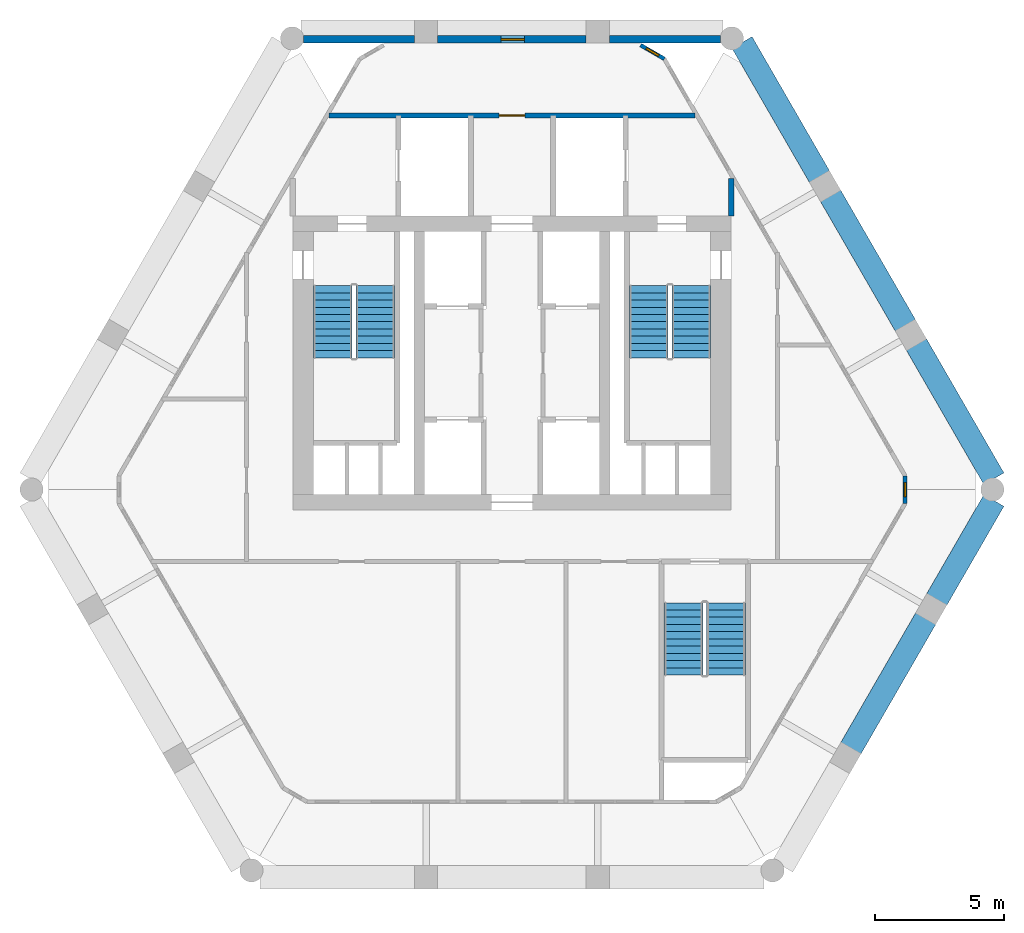
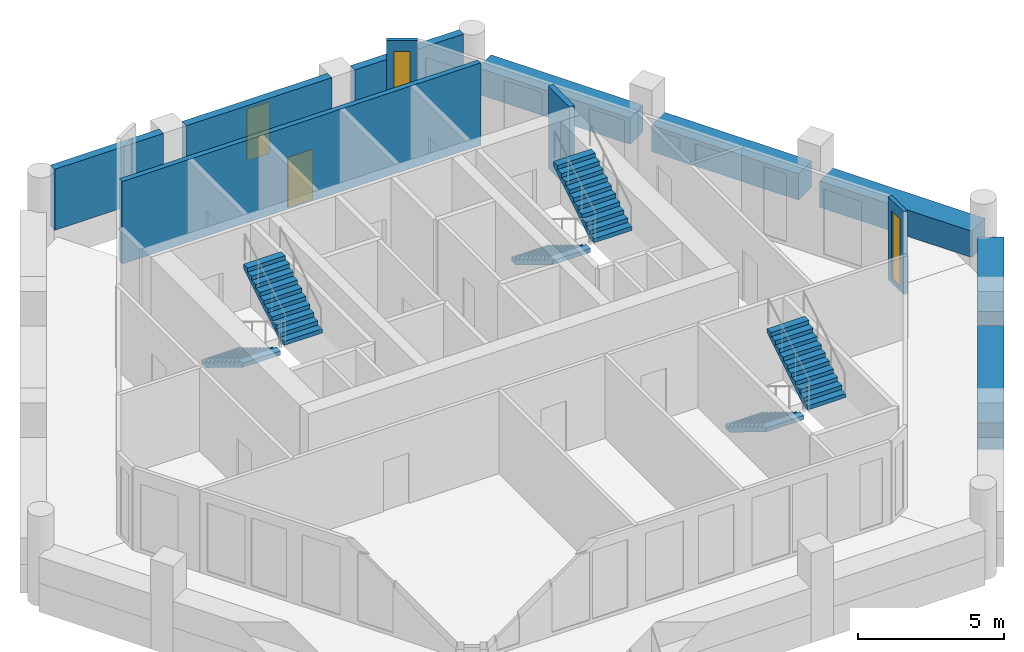
# One storey, part 5 of 6: 12 walls, 6 stair flights, 3 windows, 1 door, 4 openings, 3 elements without a shape of their own.
"""IFC4 building model written with IfcOpenShell, lengths in metres."""

from ifc_helpers import new_model, si_unit, direction, frame, frame_2d, origin, place, context, subcontext, project, spatial, polyline, rectangle, outline, extrude, material, layer, layer_set, type_object, element, fill, aggregate, save


model = new_model("IFC4")

# Units and contexts
model_context = context("Model", 3, precision=1e-05, world=origin(), true_north=direction((0.0, 1.0)))
body_context = subcontext(model_context, "Body", "Model", "MODEL_VIEW")
ifc_project = project(units=[si_unit("LENGTHUNIT", "METRE"), si_unit("AREAUNIT", "SQUARE_METRE"), si_unit("VOLUMEUNIT", "CUBIC_METRE"), si_unit("PLANEANGLEUNIT", "RADIAN"), si_unit("MASSUNIT", "GRAM", prefix="KILO")], contexts=[model_context])

# Site, building, storey
site_placement = place(None, origin())
site = spatial("IfcSite", under=ifc_project, at=site_placement, CompositionType="ELEMENT")
building_placement = place(site_placement, origin())
building = spatial("IfcBuilding", under=site, at=building_placement, Name="Ostrander Bayou Hotel Tower", CompositionType="ELEMENT")
storey_placement = place(building_placement, frame((0.0, 0.0, 260.0)))
storey = spatial("IfcBuildingStorey", under=building, at=storey_placement, Name="L64", CompositionType="ELEMENT", Elevation=260.0)

# Wall, opening, window
ifc_material_1 = material(Name="Aluminium framed insulated wall", Category="aluminium")
ifc_layer_1 = layer(ifc_material_1, 0.14990234375)
ifc_layer_set_1 = layer_set([ifc_layer_1], Name="GW1 glass-line wall 150 mm")
wall_type_1 = type_object("IfcWallType", Name="GW1 glass-line wall 150 mm", PredefinedType="SOLIDWALL", material=ifc_layer_set_1)
wall_1_placement = place(storey_placement, frame((15.245849609375, -1.443603515625, 0.0), z_axis=(0.0, 0.0, 1.0), x_axis=(0.0, 1.0, 0.0)))
wall_1 = element("IfcWall", 1, at=wall_1_placement, inside=storey, type_object=wall_type_1, Name="GW1 L64 corner 5", PredefinedType="SOLIDWALL", context=body_context, shape_type="SweptSolid", body=[
    extrude(rectangle(XDim=1.065185546875, YDim=0.14990234375, at=frame_2d((0.53271484375, 0.0))), origin(), (0.0, 0.0, 1.0), 3.449951171875),
])
opening_1_placement = place(wall_1_placement, frame((0.257568359375, 0.0, 0.14990234375)))
opening_1 = element("IfcOpeningElement", 2, at=opening_1_placement, cuts=wall_1, Name="Opening W19", PredefinedType="OPENING", context=body_context, shape_type="SweptSolid", body=[
    extrude(rectangle(XDim=0.550048828125, YDim=2.85009765625, at=frame_2d((0.27490234375, 1.425048828125))), frame((0.0, 0.074951171875, 0.0), z_axis=(0.0, -1.0, 0.0), x_axis=(1.0, 0.0, 0.0)), (0.0, 0.0, 1.0), 0.14990234375),
])
ifc_material_2 = material(Name="Aluminium and clear glass", Category="aluminium")
window_type_1 = type_object("IfcWindowType", Name="W19 corner window 550 mm", PartitioningType="SINGLE_PANEL", PredefinedType="WINDOW", material=ifc_material_2)
window_1_placement = place(opening_1_placement, origin())
window_1 = element("IfcWindow", 3, at=window_1_placement, inside=storey, type_object=window_type_1, Name="W19 L64 corner 5", OverallHeight=2.85009765625, OverallWidth=0.550048828125, PartitioningType="SINGLE_PANEL", PredefinedType="WINDOW", context=body_context, shape_type="SweptSolid", body=[
    extrude(rectangle(XDim=0.550048828125, YDim=2.85009765625, at=frame_2d((0.27490234375, 1.425048828125))), frame((0.0, 0.030029296875, 0.0), z_axis=(0.0, -1.0, 0.0), x_axis=(1.0, 0.0, 0.0)), (0.0, 0.0, 1.0), 0.06005859375),
])
fill(opening_1, window_1)

wall_2_placement = place(storey_placement, frame((5.909423828125, 15.79248046875, 0.0), z_axis=(0.0, 0.0, 1.0), x_axis=(-0.865990848561, 0.500059846627, 0.0)))
wall_2 = element("IfcWall", 4, at=wall_2_placement, inside=storey, type_object=wall_type_1, Name="GW1 L64 corner 6", PredefinedType="SOLIDWALL", context=body_context, shape_type="SweptSolid", body=[
    extrude(rectangle(XDim=1.064697265625, YDim=0.14990234375, at=frame_2d((0.5322265625, 0.0))), origin(), (0.0, 0.0, 1.0), 3.449951171875),
])
opening_2_placement = place(wall_2_placement, frame((0.257568359375, 0.0, 0.14990234375)))
opening_2 = element("IfcOpeningElement", 5, at=opening_2_placement, cuts=wall_2, Name="Opening W19", PredefinedType="OPENING", context=body_context, shape_type="SweptSolid", body=[
    extrude(rectangle(XDim=0.550048828125, YDim=2.85009765625, at=frame_2d((0.27490234375, 1.425048828125))), frame((0.0, 0.074951171875, 0.0), z_axis=(0.0, -1.0, 0.0), x_axis=(1.0, 0.0, 0.0)), (0.0, 0.0, 1.0), 0.14990234375),
])
window_2_placement = place(opening_2_placement, origin())
window_2 = element("IfcWindow", 6, at=window_2_placement, inside=storey, type_object=window_type_1, Name="W19 L64 corner 6", OverallHeight=2.85009765625, OverallWidth=0.550048828125, PartitioningType="SINGLE_PANEL", PredefinedType="WINDOW", context=body_context, shape_type="SweptSolid", body=[
    extrude(rectangle(XDim=0.550048828125, YDim=2.85009765625, at=frame_2d((0.27490234375, 1.425048828125))), frame((0.0, 0.030029296875, 0.0), z_axis=(0.0, -1.0, 0.0), x_axis=(1.0, 0.0, 0.0)), (0.0, 0.0, 1.0), 0.06005859375),
])
fill(opening_2, window_2)

# Wall
ifc_material_3 = material(Name="Reconstituted stone on masonry backing", Category="masonry")
ifc_layer_2 = layer(ifc_material_3, 0.300048828125)
ifc_layer_set_2 = layer_set([ifc_layer_2], Name="NW1 north stone wall 300 mm")
wall_type_2 = type_object("IfcWallType", Name="NW1 north stone wall 300 mm", PredefinedType="SOLIDWALL", material=ifc_layer_set_2)
wall_3_placement = place(storey_placement, frame((8.079345703125, 16.550048828125, 0.0), z_axis=(0.0, 0.0, 1.0), x_axis=(-1.0, 0.0, 0.0)))
element("IfcWall", 7, at=wall_3_placement, inside=storey, type_object=wall_type_2, Name="NW1 L64 N-1", PredefinedType="SOLIDWALL", context=body_context, shape_type="SweptSolid", body=[
    extrude(rectangle(XDim=4.300048828125, YDim=0.300048828125, at=frame_2d((2.14990234375, 0.0))), origin(), (0.0, 0.0, 1.0), 2.550048828125),
])

# Wall, opening, window
wall_4_placement = place(storey_placement, frame((2.87939453125, 16.550048828125, 0.0), z_axis=(0.0, 0.0, 1.0), x_axis=(-1.0, 0.0, 0.0)))
wall_4 = element("IfcWall", 8, at=wall_4_placement, inside=storey, type_object=wall_type_2, Name="NW1 L64 N-2", PredefinedType="SOLIDWALL", context=body_context, shape_type="SweptSolid", body=[
    extrude(rectangle(XDim=5.7587890625, YDim=0.300048828125, at=frame_2d((2.87939453125, 0.0))), origin(), (0.0, 0.0, 1.0), 2.550048828125),
])
opening_3_placement = place(wall_4_placement, frame((2.39990234375, 0.0, 0.14990234375)))
opening_3 = element("IfcOpeningElement", 9, at=opening_3_placement, cuts=wall_4, Name="Opening W18", PredefinedType="OPENING", context=body_context, shape_type="SweptSolid", body=[
    extrude(rectangle(XDim=0.89990234375, YDim=2.14990234375, at=frame_2d((0.449951171875, 1.074951171875))), frame((0.0, 0.14990234375, 0.0), z_axis=(0.0, -1.0, 0.0), x_axis=(1.0, 0.0, 0.0)), (0.0, 0.0, 1.0), 0.300048828125),
])
ifc_material_4 = material(Name="Aluminium and clear glass", Category="aluminium")
window_type_2 = type_object("IfcWindowType", Name="W18 window 900 mm, zone 4", PartitioningType="SINGLE_PANEL", PredefinedType="WINDOW", material=ifc_material_4)
window_3_placement = place(opening_3_placement, origin())
window_3 = element("IfcWindow", 10, at=window_3_placement, inside=storey, type_object=window_type_2, Name="W18 L64 north N-2", OverallHeight=2.14990234375, OverallWidth=0.89990234375, PartitioningType="SINGLE_PANEL", PredefinedType="WINDOW", context=body_context, shape_type="SweptSolid", body=[
    extrude(rectangle(XDim=0.89990234375, YDim=2.14990234375, at=frame_2d((0.449951171875, 1.074951171875))), frame((0.0, 0.030029296875, 0.0), z_axis=(0.0, -1.0, 0.0), x_axis=(1.0, 0.0, 0.0)), (0.0, 0.0, 1.0), 0.06005859375),
])
fill(opening_3, window_3)

# Walls
wall_5_placement = place(storey_placement, frame((-3.779296875, 16.550048828125, 0.0), z_axis=(0.0, 0.0, 1.0), x_axis=(-1.0, 0.0, 0.0)))
element("IfcWall", 11, at=wall_5_placement, inside=storey, type_object=wall_type_2, Name="NW1 L64 N-3", PredefinedType="SOLIDWALL", context=body_context, shape_type="SweptSolid", body=[
    extrude(rectangle(XDim=4.300048828125, YDim=0.300048828125, at=frame_2d((2.14990234375, 0.0))), origin(), (0.0, 0.0, 1.0), 2.550048828125),
])
ifc_material_5 = material(Name="Concrete f'c 40 MPa", Category="concrete")
ifc_layer_3 = layer(ifc_material_5, 0.89990234375)
ifc_layer_set_3 = layer_set([ifc_layer_3], Name="PA1 stone-faced parapet 900 mm")
wall_type_3 = type_object("IfcWallType", Name="PA1 stone-faced parapet 900 mm", PredefinedType="PARAPET", material=ifc_layer_set_3)
wall_6_placement = place(storey_placement, frame((18.68701171875, -0.489013671875, 0.0), z_axis=(0.0, 0.0, 1.0), x_axis=(-0.499996383721, 0.866027491634, 0.0)))
element("IfcWall", 12, at=wall_6_placement, inside=storey, type_object=wall_type_3, Name="PA1 L64 NE-1", PredefinedType="PARAPET", context=body_context, shape_type="SweptSolid", body=[
    extrude(rectangle(XDim=6.017578125, YDim=0.89990234375, at=frame_2d((3.0087890625, 0.0))), origin(), (0.0, 0.0, 1.0), 1.10009765625),
])
wall_7_placement = place(storey_placement, frame((15.25830078125, 5.449951171875, 0.0), z_axis=(0.0, 0.0, 1.0), x_axis=(-0.500015433515, 0.866016493057, 0.0)))
element("IfcWall", 13, at=wall_7_placement, inside=storey, type_object=wall_type_3, Name="PA1 L64 NE-2", PredefinedType="PARAPET", context=body_context, shape_type="SweptSolid", body=[
    extrude(rectangle(XDim=5.818603515625, YDim=0.89990234375, at=frame_2d((2.9091796875, 0.0))), origin(), (0.0, 0.0, 1.0), 1.10009765625),
])
wall_8_placement = place(storey_placement, frame((11.928955078125, 11.216552734375, 0.0), z_axis=(0.0, 0.0, 1.0), x_axis=(-0.500026811154, 0.866009923804, 0.0)))
element("IfcWall", 14, at=wall_8_placement, inside=storey, type_object=wall_type_3, Name="PA1 L64 NE-3", PredefinedType="PARAPET", context=body_context, shape_type="SweptSolid", body=[
    extrude(rectangle(XDim=6.017822265625, YDim=0.89990234375, at=frame_2d((3.0087890625, 0.0))), origin(), (0.0, 0.0, 1.0), 1.10009765625),
])
ifc_material_6 = material(Name="Limestone masonry", Category="masonry")
ifc_layer_4 = layer(ifc_material_6, 0.89990234375)
ifc_layer_set_4 = layer_set([ifc_layer_4], Name="PA2 limestone parapet 900 mm")
wall_type_4 = type_object("IfcWallType", Name="PA2 limestone parapet 900 mm", PredefinedType="PARAPET", material=ifc_layer_set_4)
wall_9_placement = place(storey_placement, frame((13.1376953125, -10.944580078125, 0.0), z_axis=(0.0, 0.0, 1.0), x_axis=(0.500015433515, 0.866016493057, 0.0)))
element("IfcWall", 15, at=wall_9_placement, inside=storey, type_object=wall_type_4, Name="PA2 L64 SE-2", PredefinedType="PARAPET", context=body_context, shape_type="SweptSolid", body=[
    extrude(rectangle(XDim=5.818603515625, YDim=0.89990234375, at=frame_2d((2.9091796875, 0.0))), origin(), (0.0, 0.0, 1.0), 1.10009765625),
])
wall_10_placement = place(storey_placement, frame((16.46728515625, -5.177978515625, 0.0), z_axis=(0.0, 0.0, 1.0), x_axis=(0.499971567444, 0.866041818706, 0.0)))
element("IfcWall", 16, at=wall_10_placement, inside=storey, type_object=wall_type_4, Name="PA2 L64 SE-3", PredefinedType="PARAPET", context=body_context, shape_type="SweptSolid", body=[
    extrude(rectangle(XDim=4.439697265625, YDim=0.89990234375, at=frame_2d((2.2197265625, 0.0))), origin(), (0.0, 0.0, 1.0), 1.10009765625),
])

# Wall, opening, door
ifc_material_7 = material(Name="Masonry block", Category="masonry")
ifc_layer_5 = layer(ifc_material_7, 0.199951171875)
ifc_layer_set_5 = layer_set([ifc_layer_5], Name="PT5 stair enclosure wall 200 mm masonry, 2 hour")
wall_type_5 = type_object("IfcWallType", Name="PT5 stair enclosure wall 200 mm masonry, 2 hour", PredefinedType="PARTITIONING", material=ifc_layer_set_5)
wall_11_placement = place(storey_placement, frame((-7.088623046875, 13.60009765625, 0.0), z_axis=(0.0, 0.0, 1.0), x_axis=(1.0, 0.0, 0.0)))
wall_11 = element("IfcWall", 17, at=wall_11_placement, inside=storey, type_object=wall_type_5, Name="cs:L64:022", PredefinedType="PARTITIONING", context=body_context, shape_type="SweptSolid", body=[
    extrude(rectangle(XDim=14.17724609375, YDim=0.199951171875, at=frame_2d((7.088623046875, 0.0))), origin(), (0.0, 0.0, 1.0), 3.449951171875),
])
opening_4_placement = place(wall_11_placement, frame((6.588623046875, 0.0, 0.0)))
opening_4 = element("IfcOpeningElement", 18, at=opening_4_placement, cuts=wall_11, Name="Opening T63-014", PredefinedType="OPENING", context=body_context, shape_type="SweptSolid", body=[
    extrude(rectangle(XDim=1.0, YDim=2.10009765625, at=frame_2d((0.5, 1.050048828125))), frame((0.0, 0.10009765625, 0.0), z_axis=(0.0, -1.0, 0.0), x_axis=(1.0, 0.0, 0.0)), (0.0, 0.0, 1.0), 0.199951171875),
])
ifc_material_8 = material(Name="Timber door leaf", Category="wood")
door_type = type_object("IfcDoorType", Name="D9 service door 1000 x 2100 mm, 30 minute", OperationType="SINGLE_SWING_LEFT", PredefinedType="DOOR", material=ifc_material_8)
door_placement = place(opening_4_placement, origin())
door = element("IfcDoor", 19, at=door_placement, inside=storey, type_object=door_type, Name="dr:L64:014", OperationType="SINGLE_SWING_LEFT", OverallHeight=2.10009765625, OverallWidth=1.0, PredefinedType="DOOR", context=body_context, shape_type="SweptSolid", body=[
    extrude(rectangle(XDim=1.0, YDim=2.10009765625, at=frame_2d((0.5, 1.050048828125))), frame((0.0, 0.02490234375, 0.0), z_axis=(0.0, -1.0, 0.0), x_axis=(1.0, 0.0, 0.0)), (0.0, 0.0, 1.0), 0.050048828125),
])
fill(opening_4, door)

# Wall
wall_12_placement = place(storey_placement, frame((8.5, 9.699951171875, 0.0), z_axis=(0.0, 0.0, 1.0), x_axis=(0.0, 1.0, 0.0)))
element("IfcWall", 20, at=wall_12_placement, inside=storey, type_object=wall_type_5, Name="cs:L64:024", PredefinedType="PARTITIONING", context=body_context, shape_type="SweptSolid", body=[
    extrude(rectangle(XDim=1.45556640625, YDim=0.199951171875, at=frame_2d((0.727783203125, 0.0))), origin(), (0.0, 0.0, 1.0), 3.449951171875),
])

# Stair, stair flights
ifc_material_9 = material(Name="Concrete f'c 45 MPa", Category="concrete")
stair_type = type_object("IfcStairType", Name="ST1 exit stair 1500 mm f'c 45 MPa", PredefinedType="HALF_TURN_STAIR", material=ifc_material_9)
stair_1_placement = place(storey_placement, origin())
stair_1 = element("IfcStair", 21, at=stair_1_placement, inside=storey, type_object=stair_type, Name="L64 exit stair A", PredefinedType="HALF_TURN_STAIR")
ifc_material_10 = material(Name="Concrete f'c 45 MPa", Category="concrete")
stair_flight_type = type_object("IfcStairFlightType", Name="SF1 stair flight 1500 mm f'c 45 MPa", PredefinedType="STRAIGHT", material=ifc_material_10)
stair_flight_1_placement = place(storey_placement, frame((-6.949951171875, 7.0, 0.0), z_axis=(0.0, 0.0, 1.0), x_axis=(0.0, -1.0, 0.0)))
stair_flight_1 = element("IfcStairFlight", 22, at=stair_flight_1_placement, type_object=stair_flight_type, Name="STA flight 1", NumberOfRisers=11, NumberOfTreads=10, PredefinedType="STRAIGHT", RiserHeight=0.170454545, TreadLength=0.28, context=body_context, shape_type="SweptSolid", body=[
    extrude(outline(polyline([(0.0, 0.0), (0.0, 0.17041015625), (0.280029296875, 0.17041015625), (0.280029296875, 0.3408203125), (0.56005859375, 0.3408203125), (0.56005859375, 0.511474609375), (0.840087890625, 0.511474609375), (0.840087890625, 0.681884765625), (1.1201171875, 0.681884765625), (1.1201171875, 0.852294921875), (1.39990234375, 0.852294921875), (1.39990234375, 1.022705078125), (1.679931640625, 1.022705078125), (1.679931640625, 1.193115234375), (1.9599609375, 1.193115234375), (1.9599609375, 1.363525390625), (2.239990234375, 1.363525390625), (2.239990234375, 1.5341796875), (2.52001953125, 1.5341796875), (2.52001953125, 1.70458984375), (2.800048828125, 1.70458984375), (2.800048828125, 1.875), (2.800048828125, 1.529052734375), (0.288330078125, 0.0), (0.0, 0.0)])), frame((0.0, 0.75, 0.0), z_axis=(0.0, -1.0, 0.0), x_axis=(1.0, 0.0, 0.0)), (0.0, 0.0, 1.0), 1.5),
])
stair_flight_2_placement = place(storey_placement, frame((-5.300048828125, 4.199951171875, 1.875), z_axis=(0.0, 0.0, 1.0), x_axis=(0.0, 1.0, 0.0)))
stair_flight_2 = element("IfcStairFlight", 23, at=stair_flight_2_placement, type_object=stair_flight_type, Name="STA flight 2", NumberOfRisers=11, NumberOfTreads=10, PredefinedType="STRAIGHT", RiserHeight=0.170454545, TreadLength=0.28, context=body_context, shape_type="SweptSolid", body=[
    extrude(outline(polyline([(0.0, 0.0), (0.0, 0.17041015625), (0.280029296875, 0.17041015625), (0.280029296875, 0.3408203125), (0.56005859375, 0.3408203125), (0.56005859375, 0.511474609375), (0.840087890625, 0.511474609375), (0.840087890625, 0.681884765625), (1.1201171875, 0.681884765625), (1.1201171875, 0.852294921875), (1.39990234375, 0.852294921875), (1.39990234375, 1.022705078125), (1.679931640625, 1.022705078125), (1.679931640625, 1.193115234375), (1.9599609375, 1.193115234375), (1.9599609375, 1.363525390625), (2.239990234375, 1.363525390625), (2.239990234375, 1.5341796875), (2.52001953125, 1.5341796875), (2.52001953125, 1.70458984375), (2.800048828125, 1.70458984375), (2.800048828125, 1.875), (2.800048828125, 1.529052734375), (0.288330078125, 0.0), (0.0, 0.0)])), frame((0.0, 0.75, 0.0), z_axis=(0.0, -1.0, 0.0), x_axis=(1.0, 0.0, 0.0)), (0.0, 0.0, 1.0), 1.5),
])
aggregate(stair_1, [stair_flight_1, stair_flight_2])

stair_2_placement = place(storey_placement, origin())
stair_2 = element("IfcStair", 24, at=stair_2_placement, inside=storey, type_object=stair_type, Name="L64 exit stair B", PredefinedType="HALF_TURN_STAIR")
stair_flight_3_placement = place(storey_placement, frame((5.300048828125, 7.0, 0.0), z_axis=(0.0, 0.0, 1.0), x_axis=(0.0, -1.0, 0.0)))
stair_flight_3 = element("IfcStairFlight", 25, at=stair_flight_3_placement, type_object=stair_flight_type, Name="STB flight 1", NumberOfRisers=11, NumberOfTreads=10, PredefinedType="STRAIGHT", RiserHeight=0.170454545, TreadLength=0.28, context=body_context, shape_type="SweptSolid", body=[
    extrude(outline(polyline([(0.0, 0.0), (0.0, 0.17041015625), (0.280029296875, 0.17041015625), (0.280029296875, 0.3408203125), (0.56005859375, 0.3408203125), (0.56005859375, 0.511474609375), (0.840087890625, 0.511474609375), (0.840087890625, 0.681884765625), (1.1201171875, 0.681884765625), (1.1201171875, 0.852294921875), (1.39990234375, 0.852294921875), (1.39990234375, 1.022705078125), (1.679931640625, 1.022705078125), (1.679931640625, 1.193115234375), (1.9599609375, 1.193115234375), (1.9599609375, 1.363525390625), (2.239990234375, 1.363525390625), (2.239990234375, 1.5341796875), (2.52001953125, 1.5341796875), (2.52001953125, 1.70458984375), (2.800048828125, 1.70458984375), (2.800048828125, 1.875), (2.800048828125, 1.529052734375), (0.288330078125, 0.0), (0.0, 0.0)])), frame((0.0, 0.75, 0.0), z_axis=(0.0, -1.0, 0.0), x_axis=(1.0, 0.0, 0.0)), (0.0, 0.0, 1.0), 1.5),
])
stair_flight_4_placement = place(storey_placement, frame((6.949951171875, 4.199951171875, 1.875), z_axis=(0.0, 0.0, 1.0), x_axis=(0.0, 1.0, 0.0)))
stair_flight_4 = element("IfcStairFlight", 26, at=stair_flight_4_placement, type_object=stair_flight_type, Name="STB flight 2", NumberOfRisers=11, NumberOfTreads=10, PredefinedType="STRAIGHT", RiserHeight=0.170454545, TreadLength=0.28, context=body_context, shape_type="SweptSolid", body=[
    extrude(outline(polyline([(0.0, 0.0), (0.0, 0.17041015625), (0.280029296875, 0.17041015625), (0.280029296875, 0.3408203125), (0.56005859375, 0.3408203125), (0.56005859375, 0.511474609375), (0.840087890625, 0.511474609375), (0.840087890625, 0.681884765625), (1.1201171875, 0.681884765625), (1.1201171875, 0.852294921875), (1.39990234375, 0.852294921875), (1.39990234375, 1.022705078125), (1.679931640625, 1.022705078125), (1.679931640625, 1.193115234375), (1.9599609375, 1.193115234375), (1.9599609375, 1.363525390625), (2.239990234375, 1.363525390625), (2.239990234375, 1.5341796875), (2.52001953125, 1.5341796875), (2.52001953125, 1.70458984375), (2.800048828125, 1.70458984375), (2.800048828125, 1.875), (2.800048828125, 1.529052734375), (0.288330078125, 0.0), (0.0, 0.0)])), frame((0.0, 0.75, 0.0), z_axis=(0.0, -1.0, 0.0), x_axis=(1.0, 0.0, 0.0)), (0.0, 0.0, 1.0), 1.5),
])
aggregate(stair_2, [stair_flight_3, stair_flight_4])

stair_3_placement = place(storey_placement, origin())
stair_3 = element("IfcStair", 27, at=stair_3_placement, inside=storey, type_object=stair_type, Name="L64 exit stair C", PredefinedType="HALF_TURN_STAIR")
stair_flight_5_placement = place(storey_placement, frame((6.64990234375, -5.300048828125, 0.0), z_axis=(0.0, 0.0, 1.0), x_axis=(0.0, -1.0, 0.0)))
stair_flight_5 = element("IfcStairFlight", 28, at=stair_flight_5_placement, type_object=stair_flight_type, Name="STC flight 1", NumberOfRisers=11, NumberOfTreads=10, PredefinedType="STRAIGHT", RiserHeight=0.170454545, TreadLength=0.28, context=body_context, shape_type="SweptSolid", body=[
    extrude(outline(polyline([(0.0, 0.0), (0.0, 0.17041015625), (0.280029296875, 0.17041015625), (0.280029296875, 0.3408203125), (0.56005859375, 0.3408203125), (0.56005859375, 0.511474609375), (0.840087890625, 0.511474609375), (0.840087890625, 0.681884765625), (1.1201171875, 0.681884765625), (1.1201171875, 0.852294921875), (1.39990234375, 0.852294921875), (1.39990234375, 1.022705078125), (1.679931640625, 1.022705078125), (1.679931640625, 1.193115234375), (1.9599609375, 1.193115234375), (1.9599609375, 1.363525390625), (2.239990234375, 1.363525390625), (2.239990234375, 1.5341796875), (2.52001953125, 1.5341796875), (2.52001953125, 1.70458984375), (2.800048828125, 1.70458984375), (2.800048828125, 1.875), (2.800048828125, 1.529052734375), (0.288330078125, 0.0), (0.0, 0.0)])), frame((0.0, 0.75, 0.0), z_axis=(0.0, -1.0, 0.0), x_axis=(1.0, 0.0, 0.0)), (0.0, 0.0, 1.0), 1.5),
])
stair_flight_6_placement = place(storey_placement, frame((8.300048828125, -8.10009765625, 1.875), z_axis=(0.0, 0.0, 1.0), x_axis=(0.0, 1.0, 0.0)))
stair_flight_6 = element("IfcStairFlight", 29, at=stair_flight_6_placement, type_object=stair_flight_type, Name="STC flight 2", NumberOfRisers=11, NumberOfTreads=10, PredefinedType="STRAIGHT", RiserHeight=0.170454545, TreadLength=0.28, context=body_context, shape_type="SweptSolid", body=[
    extrude(outline(polyline([(0.0, 0.0), (0.0, 0.17041015625), (0.280029296875, 0.17041015625), (0.280029296875, 0.3408203125), (0.56005859375, 0.3408203125), (0.56005859375, 0.511474609375), (0.840087890625, 0.511474609375), (0.840087890625, 0.681884765625), (1.1201171875, 0.681884765625), (1.1201171875, 0.852294921875), (1.39990234375, 0.852294921875), (1.39990234375, 1.022705078125), (1.679931640625, 1.022705078125), (1.679931640625, 1.193115234375), (1.9599609375, 1.193115234375), (1.9599609375, 1.363525390625), (2.239990234375, 1.363525390625), (2.239990234375, 1.5341796875), (2.52001953125, 1.5341796875), (2.52001953125, 1.70458984375), (2.800048828125, 1.70458984375), (2.800048828125, 1.875), (2.800048828125, 1.529052734375), (0.288330078125, 0.0), (0.0, 0.0)])), frame((0.0, 0.75, 0.0), z_axis=(0.0, -1.0, 0.0), x_axis=(1.0, 0.0, 0.0)), (0.0, 0.0, 1.0), 1.5),
])
aggregate(stair_3, [stair_flight_5, stair_flight_6])

save(model, "model.ifc")
